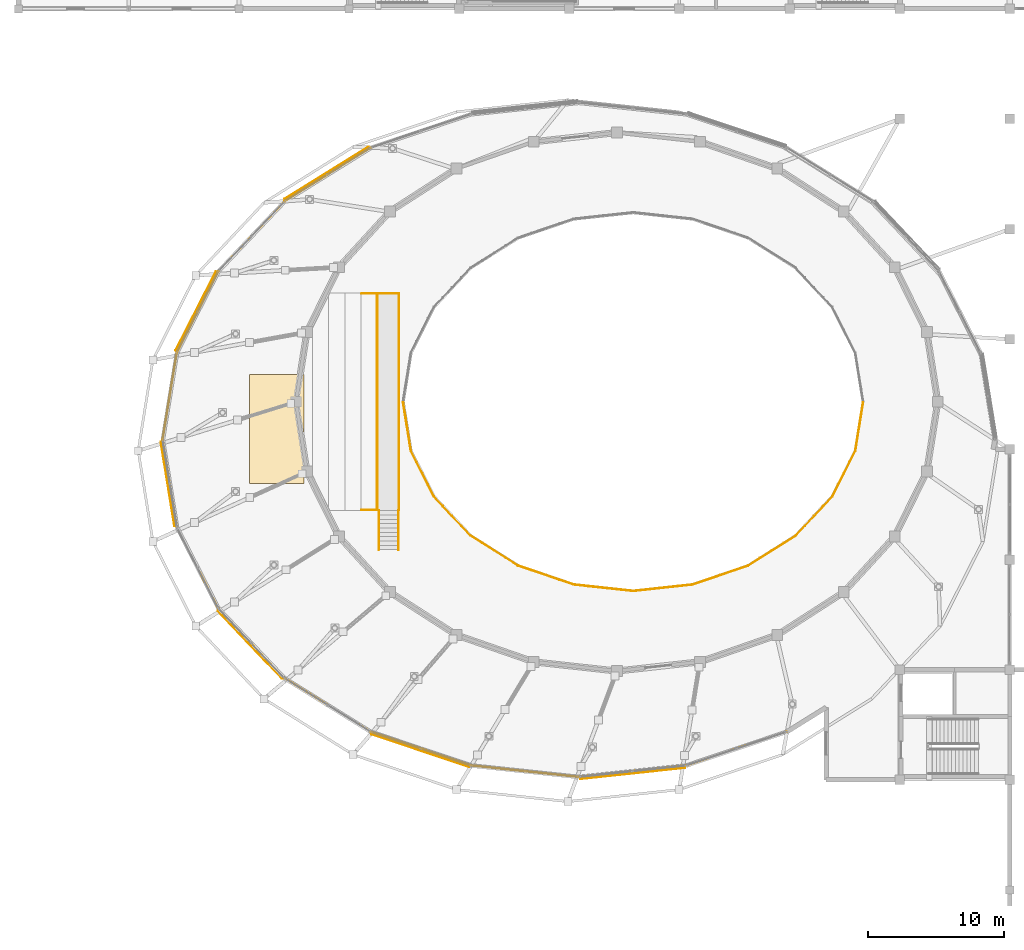
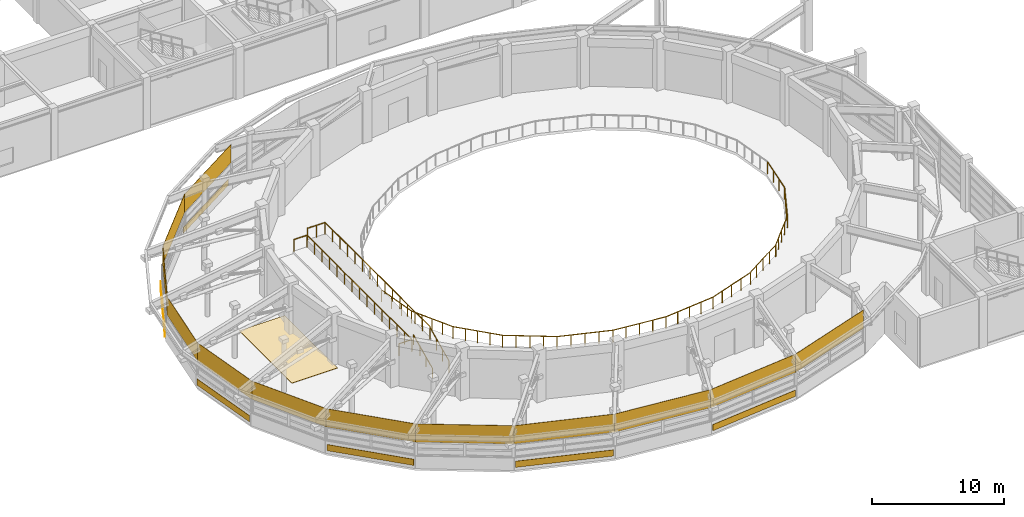
# One storey, part 49 of 58: 19 coverings, 5 railings.
"""IFC4 building model written with IfcOpenShell, lengths in metres."""

from ifc_helpers import new_model, si_unit, direction, frame, origin, origin_2d, place, context, subcontext, project, spatial, rectangle, circle, extrude, material, layer, layer_set, type_object, element, save


model = new_model("IFC4")

# Units and contexts
model_context = context("Model", 3, precision=1e-05, world=origin(), true_north=direction((0.0, 1.0)))
body_context = subcontext(model_context, "Body", "Model", "MODEL_VIEW")
ifc_project = project(units=[si_unit("LENGTHUNIT", "METRE"), si_unit("AREAUNIT", "SQUARE_METRE"), si_unit("VOLUMEUNIT", "CUBIC_METRE"), si_unit("PLANEANGLEUNIT", "RADIAN"), si_unit("MASSUNIT", "GRAM", prefix="KILO")], contexts=[model_context])

# Site, building, storey
site_placement = place(None, origin())
site = spatial("IfcSite", under=ifc_project, at=site_placement, CompositionType="ELEMENT")
building_placement = place(site_placement, origin())
building = spatial("IfcBuilding", under=site, at=building_placement, Name="Parian Resonance Hall", CompositionType="ELEMENT")
storey_placement = place(building_placement, frame((0.0, 0.0, 10.199951171875)))
storey = spatial("IfcBuildingStorey", under=building, at=storey_placement, Name="L02", CompositionType="ELEMENT", Elevation=10.199951171875)

# Coverings
ifc_material_1 = material(Name="Cebu marble-chip lime terrazzo flooring", Category="masonry")
ifc_layer_1 = layer(ifc_material_1, 0.030029296875)
ifc_layer_set_1 = layer_set([ifc_layer_1], Name="Cebu marble-chip lime terrazzo flooring")
covering_type_1 = type_object("IfcCoveringType", Name="COV-FLOOR-TERRAZZO", PredefinedType="FLOORING", material=ifc_layer_set_1)
covering_1_placement = place(storey_placement, frame((19.0, 42.0, 0.0), z_axis=(0.0, 0.0, 1.0), x_axis=(1.0, 0.0, 0.0)))
element("IfcCovering", 1, at=covering_1_placement, inside=storey, type_object=covering_type_1, Name="Ring 2 Foyer terrazzo flooring", PredefinedType="FLOORING", context=body_context, shape_type="SweptSolid", body=[
    extrude(rectangle(XDim=4.0, YDim=8.0, at=origin_2d()), origin(), (0.0, 0.0, 1.0), 0.030029296875),
])
ifc_material_2 = material(Name="Polychrome trencadis ceramic mosaic cladding")
ifc_layer_2 = layer(ifc_material_2, 0.030029296875)
ifc_layer_set_2 = layer_set([ifc_layer_2], Name="Polychrome trencadis ceramic mosaic cladding")
covering_type_2 = type_object("IfcCoveringType", Name="COV-MOSAIC-CLAD", PredefinedType="CLADDING", material=ifc_layer_set_2)
covering_2_placement = place(storey_placement, frame((22.647216796875, 60.841796875, 0.28759765625), z_axis=(0.0, 0.0, 1.0), x_axis=(0.849184669667, 0.528096010971, 0.0)))
element("IfcCovering", 2, at=covering_2_placement, inside=storey, type_object=covering_type_2, Name="Polychrome ceramic mosaic frieze L02-043", PredefinedType="CLADDING", context=body_context, shape_type="SweptSolid", body=[
    extrude(rectangle(XDim=7.262939453125, YDim=0.030029296875, at=origin_2d()), origin(), (0.0, 0.0, 1.0), 0.574951171875),
])
covering_3_placement = place(storey_placement, frame((22.731201171875, 60.706787109375, 2.35498046875), z_axis=(0.0, 0.0, 1.0), x_axis=(0.849184669667, 0.528096010971, 0.0)))
element("IfcCovering", 3, at=covering_3_placement, inside=storey, type_object=covering_type_2, Name="Elliptical R2 upper mosaic frieze cladding 09", PredefinedType="CLADDING", context=body_context, shape_type="SweptSolid", body=[
    extrude(rectangle(XDim=7.462890625, YDim=0.030029296875, at=origin_2d()), origin(), (0.0, 0.0, 1.0), 1.695068359375),
])
covering_4_placement = place(storey_placement, frame((17.131103515625, 56.168212890625, 2.35498046875), z_axis=(0.0, 0.0, 1.0), x_axis=(0.687523617478, 0.726162017328, 0.0)))
element("IfcCovering", 4, at=covering_4_placement, inside=storey, type_object=covering_type_2, Name="Elliptical R2 upper mosaic frieze cladding 10", PredefinedType="CLADDING", context=body_context, shape_type="SweptSolid", body=[
    extrude(rectangle(XDim=7.072998046875, YDim=0.030029296875, at=origin_2d()), origin(), (0.0, 0.0, 1.0), 1.695068359375),
])
covering_5_placement = place(storey_placement, frame((13.029541015625, 50.681640625, 0.28759765625), z_axis=(0.0, 0.0, 1.0), x_axis=(0.455086501111, 0.890447233982, 0.0)))
element("IfcCovering", 5, at=covering_5_placement, inside=storey, type_object=covering_type_2, Name="Polychrome ceramic mosaic frieze L02-046", PredefinedType="CLADDING", context=body_context, shape_type="SweptSolid", body=[
    extrude(rectangle(XDim=6.51708984375, YDim=0.030029296875, at=origin_2d()), origin(), (0.0, 0.0, 1.0), 0.574951171875),
])
covering_6_placement = place(storey_placement, frame((13.171142578125, 50.609375, 2.35498046875), z_axis=(0.0, 0.0, 1.0), x_axis=(0.455086501111, 0.890447233982, 0.0)))
element("IfcCovering", 6, at=covering_6_placement, inside=storey, type_object=covering_type_2, Name="Elliptical R2 upper mosaic frieze cladding 11", PredefinedType="CLADDING", context=body_context, shape_type="SweptSolid", body=[
    extrude(rectangle(XDim=6.71728515625, YDim=0.030029296875, at=origin_2d()), origin(), (0.0, 0.0, 1.0), 1.695068359375),
])
covering_7_placement = place(storey_placement, frame((11.121337890625, 44.409423828125, 2.35498046875), z_axis=(0.0, 0.0, 1.0), x_axis=(0.160344624182, 0.987061093092, 0.0)))
element("IfcCovering", 7, at=covering_7_placement, inside=storey, type_object=covering_type_2, Name="Elliptical R2 upper mosaic frieze cladding 12", PredefinedType="CLADDING", context=body_context, shape_type="SweptSolid", body=[
    extrude(rectangle(XDim=6.502685546875, YDim=0.030029296875, at=origin_2d()), origin(), (0.0, 0.0, 1.0), 1.695068359375),
])
covering_8_placement = place(storey_placement, frame((10.96435546875, 37.965087890625, 0.28759765625), z_axis=(0.0, 0.0, 1.0), x_axis=(-0.160344624182, 0.987061093092, 0.0)))
element("IfcCovering", 8, at=covering_8_placement, inside=storey, type_object=covering_type_2, Name="Polychrome ceramic mosaic frieze L02-049", PredefinedType="CLADDING", context=body_context, shape_type="SweptSolid", body=[
    extrude(rectangle(XDim=6.302734375, YDim=0.030029296875, at=origin_2d()), origin(), (0.0, 0.0, 1.0), 0.574951171875),
])
covering_9_placement = place(storey_placement, frame((11.121337890625, 37.99072265625, 2.35498046875), z_axis=(0.0, 0.0, 1.0), x_axis=(-0.160344624182, 0.987061093092, 0.0)))
element("IfcCovering", 9, at=covering_9_placement, inside=storey, type_object=covering_type_2, Name="Elliptical R2 upper mosaic frieze cladding 13", PredefinedType="CLADDING", context=body_context, shape_type="SweptSolid", body=[
    extrude(rectangle(XDim=6.502685546875, YDim=0.030029296875, at=origin_2d()), origin(), (0.0, 0.0, 1.0), 1.695068359375),
])
covering_10_placement = place(storey_placement, frame((13.171142578125, 31.79052734375, 2.35498046875), z_axis=(0.0, 0.0, 1.0), x_axis=(-0.455086501111, 0.890447233982, 0.0)))
element("IfcCovering", 10, at=covering_10_placement, inside=storey, type_object=covering_type_2, Name="Elliptical R2 upper mosaic frieze cladding 14", PredefinedType="CLADDING", context=body_context, shape_type="SweptSolid", body=[
    extrude(rectangle(XDim=6.71728515625, YDim=0.030029296875, at=origin_2d()), origin(), (0.0, 0.0, 1.0), 1.695068359375),
])
covering_11_placement = place(storey_placement, frame((17.015625, 26.12255859375, 0.28759765625), z_axis=(0.0, 0.0, 1.0), x_axis=(-0.687523617478, 0.726162017328, 0.0)))
element("IfcCovering", 11, at=covering_11_placement, inside=storey, type_object=covering_type_2, Name="Polychrome ceramic mosaic frieze L02-052", PredefinedType="CLADDING", context=body_context, shape_type="SweptSolid", body=[
    extrude(rectangle(XDim=6.873046875, YDim=0.030029296875, at=origin_2d()), origin(), (0.0, 0.0, 1.0), 0.574951171875),
])
covering_12_placement = place(storey_placement, frame((17.131103515625, 26.23193359375, 2.35498046875), z_axis=(0.0, 0.0, 1.0), x_axis=(-0.687523617478, 0.726162017328, 0.0)))
element("IfcCovering", 12, at=covering_12_placement, inside=storey, type_object=covering_type_2, Name="Elliptical R2 upper mosaic frieze cladding 15", PredefinedType="CLADDING", context=body_context, shape_type="SweptSolid", body=[
    extrude(rectangle(XDim=7.072998046875, YDim=0.030029296875, at=origin_2d()), origin(), (0.0, 0.0, 1.0), 1.695068359375),
])
covering_13_placement = place(storey_placement, frame((22.731201171875, 21.693115234375, 2.35498046875), z_axis=(0.0, 0.0, 1.0), x_axis=(-0.849184669667, 0.528096010971, 0.0)))
element("IfcCovering", 13, at=covering_13_placement, inside=storey, type_object=covering_type_2, Name="Elliptical R2 upper mosaic frieze cladding 16", PredefinedType="CLADDING", context=body_context, shape_type="SweptSolid", body=[
    extrude(rectangle(XDim=7.462890625, YDim=0.030029296875, at=origin_2d()), origin(), (0.0, 0.0, 1.0), 1.695068359375),
])
covering_14_placement = place(storey_placement, frame((29.539306640625, 18.3330078125, 0.28759765625), z_axis=(0.0, 0.0, 1.0), x_axis=(-0.948004186617, 0.318257854824, 0.0)))
element("IfcCovering", 14, at=covering_14_placement, inside=storey, type_object=covering_type_2, Name="Polychrome ceramic mosaic frieze L02-055", PredefinedType="CLADDING", context=body_context, shape_type="SweptSolid", body=[
    extrude(rectangle(XDim=7.5849609375, YDim=0.030029296875, at=origin_2d()), origin(), (0.0, 0.0, 1.0), 0.574951171875),
])
covering_15_placement = place(storey_placement, frame((29.590087890625, 18.48388671875, 2.35498046875), z_axis=(0.0, 0.0, 1.0), x_axis=(-0.948004186617, 0.318257854824, 0.0)))
element("IfcCovering", 15, at=covering_15_placement, inside=storey, type_object=covering_type_2, Name="Elliptical R2 upper mosaic frieze cladding 17", PredefinedType="CLADDING", context=body_context, shape_type="SweptSolid", body=[
    extrude(rectangle(XDim=7.784912109375, YDim=0.030029296875, at=origin_2d()), origin(), (0.0, 0.0, 1.0), 1.695068359375),
])
covering_16_placement = place(storey_placement, frame((37.239990234375, 16.822509765625, 2.35498046875), z_axis=(0.0, 0.0, 1.0), x_axis=(-0.994356475568, 0.106090525009, 0.0)))
element("IfcCovering", 16, at=covering_16_placement, inside=storey, type_object=covering_type_2, Name="Elliptical R2 upper mosaic frieze cladding 18", PredefinedType="CLADDING", context=body_context, shape_type="SweptSolid", body=[
    extrude(rectangle(XDim=7.96484375, YDim=0.030029296875, at=origin_2d()), origin(), (0.0, 0.0, 1.0), 1.695068359375),
])
covering_17_placement = place(storey_placement, frame((45.1767578125, 16.664306640625, 0.28759765625), z_axis=(0.0, 0.0, 1.0), x_axis=(-0.994356475568, -0.106090525009, 0.0)))
element("IfcCovering", 17, at=covering_17_placement, inside=storey, type_object=covering_type_2, Name="Polychrome ceramic mosaic frieze L02-058", PredefinedType="CLADDING", context=body_context, shape_type="SweptSolid", body=[
    extrude(rectangle(XDim=7.764892578125, YDim=0.030029296875, at=origin_2d()), origin(), (0.0, 0.0, 1.0), 0.574951171875),
])
covering_18_placement = place(storey_placement, frame((45.159912109375, 16.822509765625, 2.35498046875), z_axis=(0.0, 0.0, 1.0), x_axis=(-0.994356475568, -0.106090525009, 0.0)))
element("IfcCovering", 18, at=covering_18_placement, inside=storey, type_object=covering_type_2, Name="Elliptical R2 upper mosaic frieze cladding 19", PredefinedType="CLADDING", context=body_context, shape_type="SweptSolid", body=[
    extrude(rectangle(XDim=7.96484375, YDim=0.030029296875, at=origin_2d()), origin(), (0.0, 0.0, 1.0), 1.695068359375),
])
covering_19_placement = place(storey_placement, frame((52.81005859375, 18.48388671875, 2.35498046875), z_axis=(0.0, 0.0, 1.0), x_axis=(-0.948004186617, -0.318257854824, 0.0)))
element("IfcCovering", 19, at=covering_19_placement, inside=storey, type_object=covering_type_2, Name="Elliptical R2 upper mosaic frieze cladding 20", PredefinedType="CLADDING", context=body_context, shape_type="SweptSolid", body=[
    extrude(rectangle(XDim=7.784912109375, YDim=0.030029296875, at=origin_2d()), origin(), (0.0, 0.0, 1.0), 1.695068359375),
])

# Railings
ifc_material_3 = material(Name="Patinated bronze whiplash metalwork")
railing_type_1 = type_object("IfcRailingType", Name="RAIL-HALL-BAL-1120", PredefinedType="BALUSTRADE", material=ifc_material_3)
railing_1_placement = place(storey_placement, frame((27.97998046875, 36.0400390625, 1.5)))
element("IfcRailing", 20, at=railing_1_placement, inside=storey, type_object=railing_type_1, Name="Auditorium upper tier balustrade GRD-TIER-L02-B1-E", PredefinedType="BALUSTRADE", context=body_context, shape_type="SweptSolid", body=[
    extrude(circle(Radius=0.02392578125, at=origin_2d()), frame((0.0, 0.0, 1.09619140625), z_axis=(0.0, 1.0, 0.0), x_axis=(-1.0, 0.0, 0.0)), (0.0, 0.0, 1.0), 15.919921875),
    extrude(circle(Radius=0.02392578125, at=origin_2d()), frame((0.0, 15.919921875, 1.09619140625), z_axis=(-1.0, 0.0, 0.0), x_axis=(0.0, -1.0, 0.0)), (0.0, 0.0, 1.0), 1.5400390625),
    extrude(circle(Radius=0.02099609375, at=origin_2d()), origin(), (0.0, 0.0, 1.0), 1.072021484375),
    extrude(circle(Radius=0.02099609375, at=origin_2d()), frame((0.0, 1.13720703125, 0.0)), (0.0, 0.0, 1.0), 1.072021484375),
    extrude(circle(Radius=0.02099609375, at=origin_2d()), frame((0.0, 2.274169921875, 0.0)), (0.0, 0.0, 1.0), 1.072021484375),
    extrude(circle(Radius=0.02099609375, at=origin_2d()), frame((0.0, 3.411376953125, 0.0)), (0.0, 0.0, 1.0), 1.072021484375),
    extrude(circle(Radius=0.02099609375, at=origin_2d()), frame((0.0, 4.548583984375, 0.0)), (0.0, 0.0, 1.0), 1.072021484375),
    extrude(circle(Radius=0.02099609375, at=origin_2d()), frame((0.0, 5.685791015625, 0.0)), (0.0, 0.0, 1.0), 1.072021484375),
    extrude(circle(Radius=0.02099609375, at=origin_2d()), frame((0.0, 6.82275390625, 0.0)), (0.0, 0.0, 1.0), 1.072021484375),
    extrude(circle(Radius=0.02099609375, at=origin_2d()), frame((0.0, 7.9599609375, 0.0)), (0.0, 0.0, 1.0), 1.072021484375),
    extrude(circle(Radius=0.02099609375, at=origin_2d()), frame((0.0, 9.09716796875, 0.0)), (0.0, 0.0, 1.0), 1.072021484375),
    extrude(circle(Radius=0.02099609375, at=origin_2d()), frame((0.0, 10.234130859375, 0.0)), (0.0, 0.0, 1.0), 1.072021484375),
    extrude(circle(Radius=0.02099609375, at=origin_2d()), frame((0.0, 11.371337890625, 0.0)), (0.0, 0.0, 1.0), 1.072021484375),
    extrude(circle(Radius=0.02099609375, at=origin_2d()), frame((0.0, 12.508544921875, 0.0)), (0.0, 0.0, 1.0), 1.072021484375),
    extrude(circle(Radius=0.02099609375, at=origin_2d()), frame((0.0, 13.645751953125, 0.0)), (0.0, 0.0, 1.0), 1.072021484375),
    extrude(circle(Radius=0.02099609375, at=origin_2d()), frame((0.0, 14.78271484375, 0.0)), (0.0, 0.0, 1.0), 1.072021484375),
    extrude(circle(Radius=0.02099609375, at=origin_2d()), frame((0.0, 15.919921875, 0.0)), (0.0, 0.0, 1.0), 1.072021484375),
    extrude(circle(Radius=0.02099609375, at=origin_2d()), frame((-0.77001953125, 15.919921875, 0.0)), (0.0, 0.0, 1.0), 1.072021484375),
    extrude(circle(Radius=0.02099609375, at=origin_2d()), frame((-1.5400390625, 15.919921875, 0.0)), (0.0, 0.0, 1.0), 1.072021484375),
])
railing_2_placement = place(storey_placement, frame((25.239990234375, 36.0400390625, 0.8701171875)))
element("IfcRailing", 21, at=railing_2_placement, inside=storey, type_object=railing_type_1, Name="Auditorium upper tier balustrade GRD-TIER-L02-B1-4", PredefinedType="BALUSTRADE", context=body_context, shape_type="SweptSolid", body=[
    extrude(circle(Radius=0.02392578125, at=origin_2d()), frame((0.0, 0.0, 1.09619140625), z_axis=(1.0, 0.0, 0.0), x_axis=(0.0, 1.0, 0.0)), (0.0, 0.0, 1.0), 1.139892578125),
    extrude(circle(Radius=0.02392578125, at=origin_2d()), frame((1.139892578125, 0.0, 1.09619140625), z_axis=(0.0, 1.0, 0.0), x_axis=(-1.0, 0.0, 0.0)), (0.0, 0.0, 1.0), 15.919921875),
    extrude(circle(Radius=0.02392578125, at=origin_2d()), frame((1.139892578125, 15.919921875, 1.09619140625), z_axis=(-1.0, 0.0, 0.0), x_axis=(0.0, -1.0, 0.0)), (0.0, 0.0, 1.0), 1.139892578125),
    extrude(circle(Radius=0.02099609375, at=origin_2d()), origin(), (0.0, 0.0, 1.0), 1.072021484375),
    extrude(circle(Radius=0.02099609375, at=origin_2d()), frame((1.139892578125, 0.0, 0.0)), (0.0, 0.0, 1.0), 1.072021484375),
    extrude(circle(Radius=0.02099609375, at=origin_2d()), frame((1.139892578125, 1.13720703125, 0.0)), (0.0, 0.0, 1.0), 1.072021484375),
    extrude(circle(Radius=0.02099609375, at=origin_2d()), frame((1.139892578125, 2.274169921875, 0.0)), (0.0, 0.0, 1.0), 1.072021484375),
    extrude(circle(Radius=0.02099609375, at=origin_2d()), frame((1.139892578125, 3.411376953125, 0.0)), (0.0, 0.0, 1.0), 1.072021484375),
    extrude(circle(Radius=0.02099609375, at=origin_2d()), frame((1.139892578125, 4.548583984375, 0.0)), (0.0, 0.0, 1.0), 1.072021484375),
    extrude(circle(Radius=0.02099609375, at=origin_2d()), frame((1.139892578125, 5.685791015625, 0.0)), (0.0, 0.0, 1.0), 1.072021484375),
    extrude(circle(Radius=0.02099609375, at=origin_2d()), frame((1.139892578125, 6.82275390625, 0.0)), (0.0, 0.0, 1.0), 1.072021484375),
    extrude(circle(Radius=0.02099609375, at=origin_2d()), frame((1.139892578125, 7.9599609375, 0.0)), (0.0, 0.0, 1.0), 1.072021484375),
    extrude(circle(Radius=0.02099609375, at=origin_2d()), frame((1.139892578125, 9.09716796875, 0.0)), (0.0, 0.0, 1.0), 1.072021484375),
    extrude(circle(Radius=0.02099609375, at=origin_2d()), frame((1.139892578125, 10.234130859375, 0.0)), (0.0, 0.0, 1.0), 1.072021484375),
    extrude(circle(Radius=0.02099609375, at=origin_2d()), frame((1.139892578125, 11.371337890625, 0.0)), (0.0, 0.0, 1.0), 1.072021484375),
    extrude(circle(Radius=0.02099609375, at=origin_2d()), frame((1.139892578125, 12.508544921875, 0.0)), (0.0, 0.0, 1.0), 1.072021484375),
    extrude(circle(Radius=0.02099609375, at=origin_2d()), frame((1.139892578125, 13.645751953125, 0.0)), (0.0, 0.0, 1.0), 1.072021484375),
    extrude(circle(Radius=0.02099609375, at=origin_2d()), frame((1.139892578125, 14.78271484375, 0.0)), (0.0, 0.0, 1.0), 1.072021484375),
    extrude(circle(Radius=0.02099609375, at=origin_2d()), frame((1.139892578125, 15.919921875, 0.0)), (0.0, 0.0, 1.0), 1.072021484375),
    extrude(circle(Radius=0.02099609375, at=origin_2d()), frame((0.0, 15.919921875, 0.0)), (0.0, 0.0, 1.0), 1.072021484375),
])
railing_3_placement = place(storey_placement, frame((28.28955078125, 43.94091796875, 0.0)))
element("IfcRailing", 22, at=railing_3_placement, inside=storey, type_object=railing_type_1, Name="Main Concert Hall L02 south-east bronze balustrade", PredefinedType="BALUSTRADE", context=body_context, shape_type="SweptSolid", body=[
    extrude(circle(Radius=0.02392578125, at=origin_2d()), frame((0.0, 0.0, 1.09619140625), z_axis=(0.157963968572, -0.987444876757, 0.0), x_axis=(0.987444876757, 0.157963968572, 0.0)), (0.0, 0.0, 1.0), 3.5888671875),
    extrude(circle(Radius=0.02392578125, at=origin_2d()), frame((0.56689453125, -3.543701171875, 1.09619140625), z_axis=(0.449731982165, -0.893163559612, 0.0), x_axis=(0.893163559612, 0.449731982165, 0.0)), (0.0, 0.0, 1.0), 3.7587890625),
    extrude(circle(Radius=0.02392578125, at=origin_2d()), frame((2.25732421875, -6.90087890625, 1.09619140625), z_axis=(0.682062263866, -0.731294105138, 0.0), x_axis=(0.731294105138, 0.682062263866, 0.0)), (0.0, 0.0, 1.0), 3.9423828125),
    extrude(circle(Radius=0.02392578125, at=origin_2d()), frame((4.9462890625, -9.783935546875, 1.09619140625), z_axis=(0.84559668144, -0.533822304085, 0.0), x_axis=(0.533822304085, 0.84559668144, 0.0)), (0.0, 0.0, 1.0), 4.14404296875),
    extrude(circle(Radius=0.02392578125, at=origin_2d()), frame((8.450439453125, -11.99609375, 1.09619140625), z_axis=(0.946549881424, -0.32255747081, 0.0), x_axis=(0.32255747081, 0.946549881424, 0.0)), (0.0, 0.0, 1.0), 4.311279296875),
    extrude(circle(Radius=0.02392578125, at=origin_2d()), frame((12.53125, -13.38671875, 1.09619140625), z_axis=(0.99419006698, -0.107638797462, 0.0), x_axis=(0.107638797462, 0.99419006698, 0.0)), (0.0, 0.0, 1.0), 4.40478515625),
    extrude(circle(Radius=0.02392578125, at=origin_2d()), frame((16.910400390625, -13.86083984375, 1.09619140625), z_axis=(0.99419006698, 0.107638797462, 0.0), x_axis=(-0.107638797462, 0.99419006698, 0.0)), (0.0, 0.0, 1.0), 4.40478515625),
    extrude(circle(Radius=0.02392578125, at=origin_2d()), frame((21.28955078125, -13.38671875, 1.09619140625), z_axis=(0.946549881424, 0.32255747081, 0.0), x_axis=(-0.32255747081, 0.946549881424, 0.0)), (0.0, 0.0, 1.0), 4.311279296875),
    extrude(circle(Radius=0.02392578125, at=origin_2d()), frame((25.370361328125, -11.99609375, 1.09619140625), z_axis=(0.845613468767, 0.533795711335, 0.0), x_axis=(-0.533795711335, 0.845613468767, 0.0)), (0.0, 0.0, 1.0), 4.144287109375),
    extrude(circle(Radius=0.02392578125, at=origin_2d()), frame((28.874755859375, -9.783935546875, 1.09619140625), z_axis=(0.682029143844, 0.731324994067, 0.0), x_axis=(-0.731324994067, 0.682029143844, 0.0)), (0.0, 0.0, 1.0), 3.942138671875),
    extrude(circle(Radius=0.02392578125, at=origin_2d()), frame((31.5634765625, -6.90087890625, 1.09619140625), z_axis=(0.449731982165, 0.893163559612, 0.0), x_axis=(-0.893163559612, 0.449731982165, 0.0)), (0.0, 0.0, 1.0), 3.7587890625),
    extrude(circle(Radius=0.02392578125, at=origin_2d()), frame((33.25390625, -3.543701171875, 1.09619140625), z_axis=(0.158030299266, 0.987434263389, 0.0), x_axis=(-0.987434263389, 0.158030299266, 0.0)), (0.0, 0.0, 1.0), 3.5888671875),
    extrude(circle(Radius=0.02099609375, at=origin_2d()), origin(), (0.0, 0.0, 1.0), 1.072021484375),
    extrude(circle(Radius=0.02099609375, at=origin_2d()), frame((0.18896484375, -1.18115234375, 0.0)), (0.0, 0.0, 1.0), 1.072021484375),
    extrude(circle(Radius=0.02099609375, at=origin_2d()), frame((0.3779296875, -2.362548828125, 0.0)), (0.0, 0.0, 1.0), 1.072021484375),
    extrude(circle(Radius=0.02099609375, at=origin_2d()), frame((0.56689453125, -3.543701171875, 0.0)), (0.0, 0.0, 1.0), 1.072021484375),
    extrude(circle(Radius=0.02099609375, at=origin_2d()), frame((0.989501953125, -4.383056640625, 0.0)), (0.0, 0.0, 1.0), 1.072021484375),
    extrude(circle(Radius=0.02099609375, at=origin_2d()), frame((1.412109375, -5.22216796875, 0.0)), (0.0, 0.0, 1.0), 1.072021484375),
    extrude(circle(Radius=0.02099609375, at=origin_2d()), frame((1.834716796875, -6.0615234375, 0.0)), (0.0, 0.0, 1.0), 1.072021484375),
    extrude(circle(Radius=0.02099609375, at=origin_2d()), frame((2.25732421875, -6.90087890625, 0.0)), (0.0, 0.0, 1.0), 1.072021484375),
    extrude(circle(Radius=0.02099609375, at=origin_2d()), frame((2.9296875, -7.62158203125, 0.0)), (0.0, 0.0, 1.0), 1.072021484375),
    extrude(circle(Radius=0.02099609375, at=origin_2d()), frame((3.601806640625, -8.34228515625, 0.0)), (0.0, 0.0, 1.0), 1.072021484375),
    extrude(circle(Radius=0.02099609375, at=origin_2d()), frame((4.27392578125, -9.063232421875, 0.0)), (0.0, 0.0, 1.0), 1.072021484375),
    extrude(circle(Radius=0.02099609375, at=origin_2d()), frame((4.9462890625, -9.783935546875, 0.0)), (0.0, 0.0, 1.0), 1.072021484375),
    extrude(circle(Radius=0.02099609375, at=origin_2d()), frame((5.822265625, -10.3369140625, 0.0)), (0.0, 0.0, 1.0), 1.072021484375),
    extrude(circle(Radius=0.02099609375, at=origin_2d()), frame((6.6982421875, -10.89013671875, 0.0)), (0.0, 0.0, 1.0), 1.072021484375),
    extrude(circle(Radius=0.02099609375, at=origin_2d()), frame((7.574462890625, -11.443115234375, 0.0)), (0.0, 0.0, 1.0), 1.072021484375),
    extrude(circle(Radius=0.02099609375, at=origin_2d()), frame((8.450439453125, -11.99609375, 0.0)), (0.0, 0.0, 1.0), 1.072021484375),
    extrude(circle(Radius=0.02099609375, at=origin_2d()), frame((9.470703125, -12.34375, 0.0)), (0.0, 0.0, 1.0), 1.072021484375),
    extrude(circle(Radius=0.02099609375, at=origin_2d()), frame((10.49072265625, -12.69140625, 0.0)), (0.0, 0.0, 1.0), 1.072021484375),
    extrude(circle(Radius=0.02099609375, at=origin_2d()), frame((11.510986328125, -13.0390625, 0.0)), (0.0, 0.0, 1.0), 1.072021484375),
    extrude(circle(Radius=0.02099609375, at=origin_2d()), frame((12.53125, -13.38671875, 0.0)), (0.0, 0.0, 1.0), 1.072021484375),
    extrude(circle(Radius=0.02099609375, at=origin_2d()), frame((13.6259765625, -13.50537109375, 0.0)), (0.0, 0.0, 1.0), 1.072021484375),
    extrude(circle(Radius=0.02099609375, at=origin_2d()), frame((14.720703125, -13.623779296875, 0.0)), (0.0, 0.0, 1.0), 1.072021484375),
    extrude(circle(Radius=0.02099609375, at=origin_2d()), frame((15.815673828125, -13.7421875, 0.0)), (0.0, 0.0, 1.0), 1.072021484375),
    extrude(circle(Radius=0.02099609375, at=origin_2d()), frame((16.910400390625, -13.86083984375, 0.0)), (0.0, 0.0, 1.0), 1.072021484375),
    extrude(circle(Radius=0.02099609375, at=origin_2d()), frame((18.005126953125, -13.7421875, 0.0)), (0.0, 0.0, 1.0), 1.072021484375),
    extrude(circle(Radius=0.02099609375, at=origin_2d()), frame((19.10009765625, -13.623779296875, 0.0)), (0.0, 0.0, 1.0), 1.072021484375),
    extrude(circle(Radius=0.02099609375, at=origin_2d()), frame((20.19482421875, -13.50537109375, 0.0)), (0.0, 0.0, 1.0), 1.072021484375),
    extrude(circle(Radius=0.02099609375, at=origin_2d()), frame((21.28955078125, -13.38671875, 0.0)), (0.0, 0.0, 1.0), 1.072021484375),
    extrude(circle(Radius=0.02099609375, at=origin_2d()), frame((22.309814453125, -13.0390625, 0.0)), (0.0, 0.0, 1.0), 1.072021484375),
    extrude(circle(Radius=0.02099609375, at=origin_2d()), frame((23.330078125, -12.69140625, 0.0)), (0.0, 0.0, 1.0), 1.072021484375),
    extrude(circle(Radius=0.02099609375, at=origin_2d()), frame((24.35009765625, -12.34375, 0.0)), (0.0, 0.0, 1.0), 1.072021484375),
    extrude(circle(Radius=0.02099609375, at=origin_2d()), frame((25.370361328125, -11.99609375, 0.0)), (0.0, 0.0, 1.0), 1.072021484375),
    extrude(circle(Radius=0.02099609375, at=origin_2d()), frame((26.24658203125, -11.443115234375, 0.0)), (0.0, 0.0, 1.0), 1.072021484375),
    extrude(circle(Radius=0.02099609375, at=origin_2d()), frame((27.12255859375, -10.89013671875, 0.0)), (0.0, 0.0, 1.0), 1.072021484375),
    extrude(circle(Radius=0.02099609375, at=origin_2d()), frame((27.99853515625, -10.3369140625, 0.0)), (0.0, 0.0, 1.0), 1.072021484375),
    extrude(circle(Radius=0.02099609375, at=origin_2d()), frame((28.874755859375, -9.783935546875, 0.0)), (0.0, 0.0, 1.0), 1.072021484375),
    extrude(circle(Radius=0.02099609375, at=origin_2d()), frame((29.546875, -9.063232421875, 0.0)), (0.0, 0.0, 1.0), 1.072021484375),
    extrude(circle(Radius=0.02099609375, at=origin_2d()), frame((30.21923828125, -8.34228515625, 0.0)), (0.0, 0.0, 1.0), 1.072021484375),
    extrude(circle(Radius=0.02099609375, at=origin_2d()), frame((30.891357421875, -7.62158203125, 0.0)), (0.0, 0.0, 1.0), 1.072021484375),
    extrude(circle(Radius=0.02099609375, at=origin_2d()), frame((31.5634765625, -6.90087890625, 0.0)), (0.0, 0.0, 1.0), 1.072021484375),
    extrude(circle(Radius=0.02099609375, at=origin_2d()), frame((31.986083984375, -6.0615234375, 0.0)), (0.0, 0.0, 1.0), 1.072021484375),
    extrude(circle(Radius=0.02099609375, at=origin_2d()), frame((32.40869140625, -5.22216796875, 0.0)), (0.0, 0.0, 1.0), 1.072021484375),
    extrude(circle(Radius=0.02099609375, at=origin_2d()), frame((32.831298828125, -4.383056640625, 0.0)), (0.0, 0.0, 1.0), 1.072021484375),
    extrude(circle(Radius=0.02099609375, at=origin_2d()), frame((33.25390625, -3.543701171875, 0.0)), (0.0, 0.0, 1.0), 1.072021484375),
    extrude(circle(Radius=0.02099609375, at=origin_2d()), frame((33.44287109375, -2.362548828125, 0.0)), (0.0, 0.0, 1.0), 1.072021484375),
    extrude(circle(Radius=0.02099609375, at=origin_2d()), frame((33.632080078125, -1.18115234375, 0.0)), (0.0, 0.0, 1.0), 1.072021484375),
    extrude(circle(Radius=0.02099609375, at=origin_2d()), frame((33.821044921875, 0.0, 0.0)), (0.0, 0.0, 1.0), 1.072021484375),
])
ifc_material_4 = material(Name="Patinated bronze whiplash metalwork")
railing_type_2 = type_object("IfcRailingType", Name="RAIL-STAIR-GRD-1100", PredefinedType="GUARDRAIL", material=ifc_material_4)
railing_4_placement = place(storey_placement, frame((27.93994140625, 33.1201171875, 0.150146484375)))
element("IfcRailing", 23, at=railing_4_placement, inside=storey, type_object=railing_type_2, Name="Auditorium aisle guard ST-T05", PredefinedType="GUARDRAIL", context=body_context, shape_type="SweptSolid", body=[
    extrude(circle(Radius=0.02392578125, at=origin_2d()), frame((0.0, 0.0, 1.076171875), z_axis=(0.0, 0.905469998052, 0.424410276299), x_axis=(-1.0, 0.0, 0.0)), (0.0, 0.0, 1.0), 3.180419921875),
    extrude(circle(Radius=0.02099609375, at=origin_2d()), origin(), (0.0, 0.0, 1.0), 1.052001953125),
    extrude(circle(Radius=0.02099609375, at=origin_2d()), frame((0.0, 0.9599609375, 0.449951171875)), (0.0, 0.0, 1.0), 1.052001953125),
    extrude(circle(Radius=0.02099609375, at=origin_2d()), frame((0.0, 1.919921875, 0.89990234375)), (0.0, 0.0, 1.0), 1.052001953125),
    extrude(circle(Radius=0.02099609375, at=origin_2d()), frame((0.0, 2.8798828125, 1.349853515625)), (0.0, 0.0, 1.0), 1.052001953125),
])
ifc_material_5 = material(Name="Patinated bronze whiplash metalwork")
railing_type_3 = type_object("IfcRailingType", Name="RAIL-STAIR-HR-900", PredefinedType="HANDRAIL", material=ifc_material_5)
railing_5_placement = place(storey_placement, frame((26.5, 33.1201171875, 0.150146484375)))
element("IfcRailing", 24, at=railing_5_placement, inside=storey, type_object=railing_type_3, Name="Auditorium aisle handrail ST-T05", PredefinedType="HANDRAIL", context=body_context, shape_type="SweptSolid", body=[
    extrude(circle(Radius=0.02392578125, at=origin_2d()), frame((0.0, 0.0, 0.8759765625), z_axis=(0.0, 0.905469998052, 0.424410276299), x_axis=(-1.0, 0.0, 0.0)), (0.0, 0.0, 1.0), 3.180419921875),
    extrude(circle(Radius=0.02099609375, at=origin_2d()), origin(), (0.0, 0.0, 1.0), 0.851806640625),
    extrude(circle(Radius=0.02099609375, at=origin_2d()), frame((0.0, 0.9599609375, 0.449951171875)), (0.0, 0.0, 1.0), 0.851806640625),
    extrude(circle(Radius=0.02099609375, at=origin_2d()), frame((0.0, 1.919921875, 0.89990234375)), (0.0, 0.0, 1.0), 0.851806640625),
    extrude(circle(Radius=0.02099609375, at=origin_2d()), frame((0.0, 2.8798828125, 1.349853515625)), (0.0, 0.0, 1.0), 0.851806640625),
])

save(model, "model.ifc")
